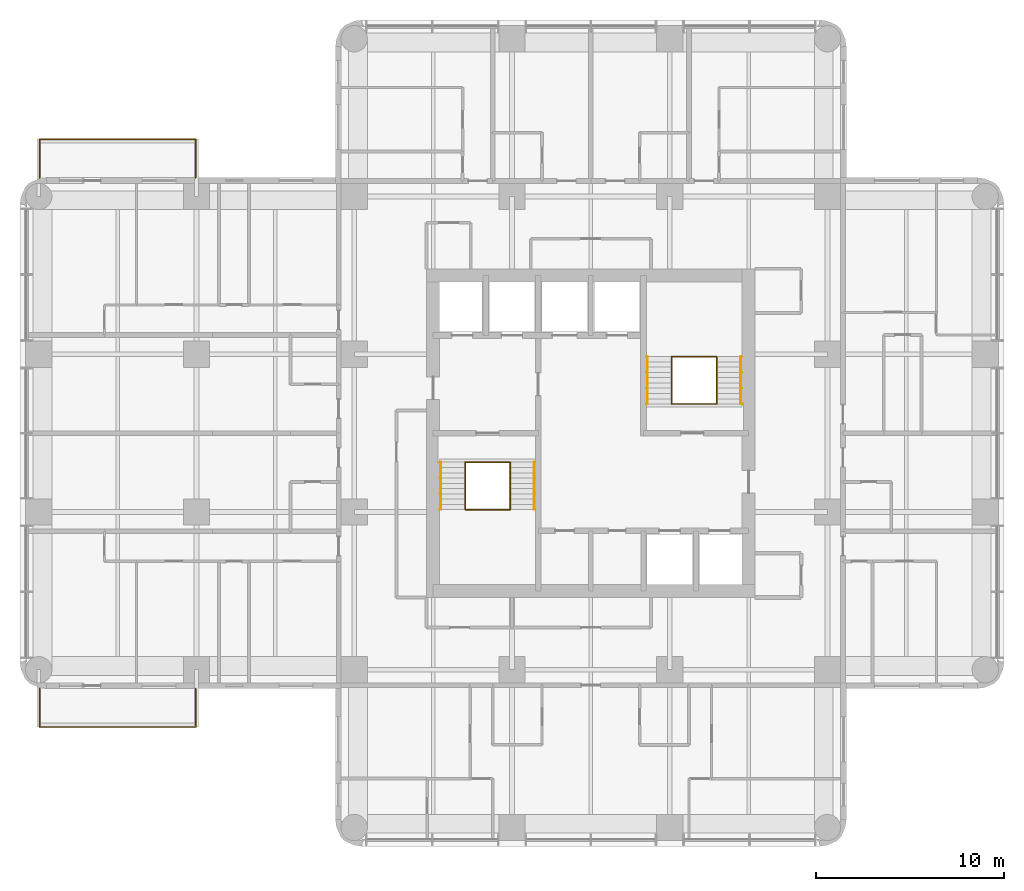
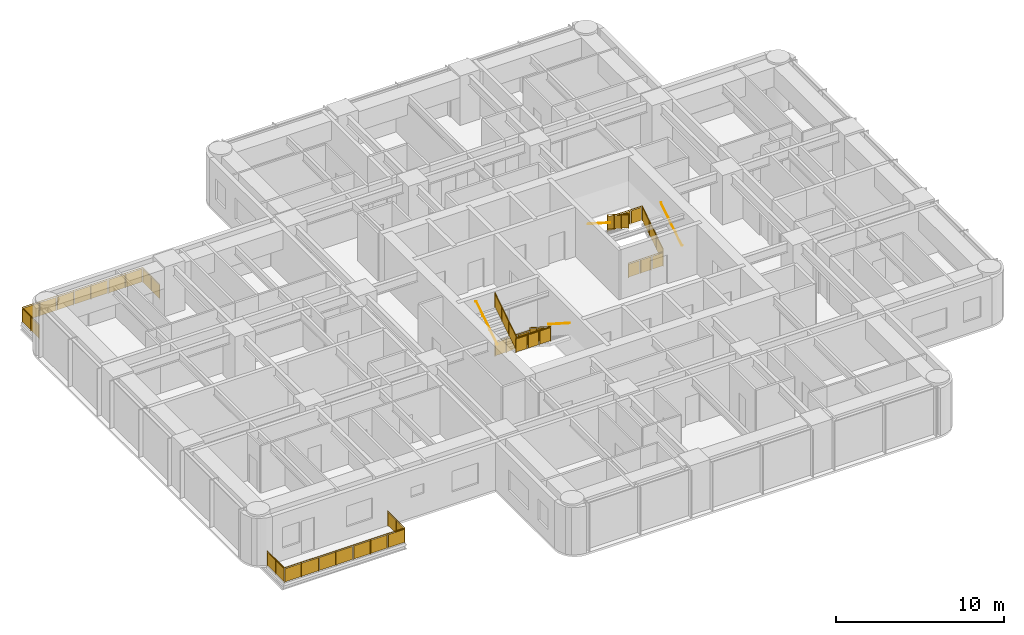
# One storey, part 11 of 11: 14 railings.
"""IFC4 building model written with IfcOpenShell, lengths in metres."""

from ifc_helpers import new_model, si_unit, direction, frame, origin, origin_2d, place, context, subcontext, project, spatial, polyline, circle, outline, extrude, material, constituent, constituent_set, type_object, element, save


model = new_model("IFC4")

# Units and contexts
model_context = context("Model", 3, precision=1e-05, world=origin(), true_north=direction((0.0, 1.0)))
body_context = subcontext(model_context, "Body", "Model", "MODEL_VIEW")
ifc_project = project(units=[si_unit("LENGTHUNIT", "METRE"), si_unit("AREAUNIT", "SQUARE_METRE"), si_unit("VOLUMEUNIT", "CUBIC_METRE"), si_unit("PLANEANGLEUNIT", "RADIAN"), si_unit("MASSUNIT", "GRAM", prefix="KILO")], contexts=[model_context])

# Site, building, storey
site_placement = place(None, origin())
site = spatial("IfcSite", under=ifc_project, at=site_placement, CompositionType="ELEMENT")
building_placement = place(site_placement, origin())
building = spatial("IfcBuilding", under=site, at=building_placement, Name="Torre Alcanfor", CompositionType="ELEMENT")
storey_placement = place(building_placement, frame((0.0, 0.0, 219.300048828125)))
storey = spatial("IfcBuildingStorey", under=building, at=storey_placement, Name="L57", CompositionType="ELEMENT", Elevation=219.300048828125)

# Railings
ifc_material_1 = material(Name="Laminated safety glass", Category="glass")
ifc_constituent_1 = constituent(ifc_material_1, Name="Infill")
ifc_material_2 = material(Name="Stainless steel ASTM A554 Grade MT 316L tube", Category="steel")
ifc_constituent_2 = constituent(ifc_material_2, Name="Posts and rail")
ifc_constituent_set = constituent_set(constituents=[ifc_constituent_1, ifc_constituent_2], Name="Balcony guard glass 1100")
railing_type_1 = type_object("IfcRailingType", Name="Balcony guard glass 1100", PredefinedType="BALUSTRADE", material=ifc_constituent_set)
railing_1_placement = place(storey_placement, frame((8.35009765625, 15.800048828125, 0.0)))
element("IfcRailing", 1, at=railing_1_placement, inside=storey, type_object=railing_type_1, Name="Balcony guard L57-W1", PredefinedType="BALUSTRADE", context=body_context, shape_type="SweptSolid", body=[
    extrude(circle(Radius=0.02392578125, at=origin_2d()), frame((0.0, 0.0, 1.076171875), z_axis=(0.0, -1.0, 0.0), x_axis=(1.0, 0.0, 0.0)), (0.0, 0.0, 1.0), 2.050048828125),
    extrude(circle(Radius=0.02392578125, at=origin_2d()), frame((0.0, -2.050048828125, 1.076171875), z_axis=(-1.0, 0.0, 0.0), x_axis=(0.0, -1.0, 0.0)), (0.0, 0.0, 1.0), 8.300048828125),
    extrude(circle(Radius=0.02392578125, at=origin_2d()), frame((-8.300048828125, -2.050048828125, 1.076171875), z_axis=(0.0, 1.0, 0.0), x_axis=(-1.0, 0.0, 0.0)), (0.0, 0.0, 1.0), 2.050048828125),
    extrude(circle(Radius=0.02099609375, at=origin_2d()), origin(), (0.0, 0.0, 1.0), 1.052001953125),
    extrude(circle(Radius=0.02099609375, at=origin_2d()), frame((0.0, -1.02490234375, 0.0)), (0.0, 0.0, 1.0), 1.052001953125),
    extrude(circle(Radius=0.02099609375, at=origin_2d()), frame((0.0, -2.050048828125, 0.0)), (0.0, 0.0, 1.0), 1.052001953125),
    extrude(circle(Radius=0.02099609375, at=origin_2d()), frame((-1.185791015625, -2.050048828125, 0.0)), (0.0, 0.0, 1.0), 1.052001953125),
    extrude(circle(Radius=0.02099609375, at=origin_2d()), frame((-2.371337890625, -2.050048828125, 0.0)), (0.0, 0.0, 1.0), 1.052001953125),
    extrude(circle(Radius=0.02099609375, at=origin_2d()), frame((-3.55712890625, -2.050048828125, 0.0)), (0.0, 0.0, 1.0), 1.052001953125),
    extrude(circle(Radius=0.02099609375, at=origin_2d()), frame((-4.742919921875, -2.050048828125, 0.0)), (0.0, 0.0, 1.0), 1.052001953125),
    extrude(circle(Radius=0.02099609375, at=origin_2d()), frame((-5.9287109375, -2.050048828125, 0.0)), (0.0, 0.0, 1.0), 1.052001953125),
    extrude(circle(Radius=0.02099609375, at=origin_2d()), frame((-7.1142578125, -2.050048828125, 0.0)), (0.0, 0.0, 1.0), 1.052001953125),
    extrude(circle(Radius=0.02099609375, at=origin_2d()), frame((-8.300048828125, -2.050048828125, 0.0)), (0.0, 0.0, 1.0), 1.052001953125),
    extrude(circle(Radius=0.02099609375, at=origin_2d()), frame((-8.300048828125, -1.02490234375, 0.0)), (0.0, 0.0, 1.0), 1.052001953125),
    extrude(circle(Radius=0.02099609375, at=origin_2d()), frame((-8.300048828125, 0.0, 0.0)), (0.0, 0.0, 1.0), 1.052001953125),
    extrude(outline(polyline([(0.041015625, 0.050048828125), (0.984130859375, 0.050048828125), (0.984130859375, 1.001953125), (0.041015625, 1.001953125), (0.041015625, 0.050048828125)])), frame((0.005859375, 0.0, 0.0), z_axis=(-1.0, 0.0, 0.0), x_axis=(0.0, -1.0, 0.0)), (0.0, 0.0, 1.0), 0.011962890625),
    extrude(outline(polyline([(1.06591796875, 0.050048828125), (2.009033203125, 0.050048828125), (2.009033203125, 1.001953125), (1.06591796875, 1.001953125), (1.06591796875, 0.050048828125)])), frame((0.005859375, 0.0, 0.0), z_axis=(-1.0, 0.0, 0.0), x_axis=(0.0, -1.0, 0.0)), (0.0, 0.0, 1.0), 0.011962890625),
    extrude(outline(polyline([(0.041015625, 0.050048828125), (1.144775390625, 0.050048828125), (1.144775390625, 1.001953125), (0.041015625, 1.001953125), (0.041015625, 0.050048828125)])), frame((0.0, -2.05615234375, 0.0), z_axis=(0.0, 1.0, 0.0), x_axis=(-1.0, 0.0, 0.0)), (0.0, 0.0, 1.0), 0.011962890625),
    extrude(outline(polyline([(1.226806640625, 0.050048828125), (2.330322265625, 0.050048828125), (2.330322265625, 1.001953125), (1.226806640625, 1.001953125), (1.226806640625, 0.050048828125)])), frame((0.0, -2.05615234375, 0.0), z_axis=(0.0, 1.0, 0.0), x_axis=(-1.0, 0.0, 0.0)), (0.0, 0.0, 1.0), 0.011962890625),
    extrude(outline(polyline([(2.412353515625, 0.050048828125), (3.51611328125, 0.050048828125), (3.51611328125, 1.001953125), (2.412353515625, 1.001953125), (2.412353515625, 0.050048828125)])), frame((0.0, -2.05615234375, 0.0), z_axis=(0.0, 1.0, 0.0), x_axis=(-1.0, 0.0, 0.0)), (0.0, 0.0, 1.0), 0.011962890625),
    extrude(outline(polyline([(3.59814453125, 0.050048828125), (4.701904296875, 0.050048828125), (4.701904296875, 1.001953125), (3.59814453125, 1.001953125), (3.59814453125, 0.050048828125)])), frame((0.0, -2.05615234375, 0.0), z_axis=(0.0, 1.0, 0.0), x_axis=(-1.0, 0.0, 0.0)), (0.0, 0.0, 1.0), 0.011962890625),
    extrude(outline(polyline([(4.783935546875, 0.050048828125), (5.8876953125, 0.050048828125), (5.8876953125, 1.001953125), (4.783935546875, 1.001953125), (4.783935546875, 0.050048828125)])), frame((0.0, -2.05615234375, 0.0), z_axis=(0.0, 1.0, 0.0), x_axis=(-1.0, 0.0, 0.0)), (0.0, 0.0, 1.0), 0.011962890625),
    extrude(outline(polyline([(5.9697265625, 0.050048828125), (7.0732421875, 0.050048828125), (7.0732421875, 1.001953125), (5.9697265625, 1.001953125), (5.9697265625, 0.050048828125)])), frame((0.0, -2.05615234375, 0.0), z_axis=(0.0, 1.0, 0.0), x_axis=(-1.0, 0.0, 0.0)), (0.0, 0.0, 1.0), 0.011962890625),
    extrude(outline(polyline([(7.1552734375, 0.050048828125), (8.259033203125, 0.050048828125), (8.259033203125, 1.001953125), (7.1552734375, 1.001953125), (7.1552734375, 0.050048828125)])), frame((0.0, -2.05615234375, 0.0), z_axis=(0.0, 1.0, 0.0), x_axis=(-1.0, 0.0, 0.0)), (0.0, 0.0, 1.0), 0.011962890625),
    extrude(outline(polyline([(0.041015625, 0.050048828125), (0.984130859375, 0.050048828125), (0.984130859375, 1.001953125), (0.041015625, 1.001953125), (0.041015625, 0.050048828125)])), frame((-8.30615234375, -2.050048828125, 0.0), z_axis=(1.0, 0.0, 0.0), x_axis=(0.0, 1.0, 0.0)), (0.0, 0.0, 1.0), 0.011962890625),
    extrude(outline(polyline([(1.06591796875, 0.050048828125), (2.009033203125, 0.050048828125), (2.009033203125, 1.001953125), (1.06591796875, 1.001953125), (1.06591796875, 0.050048828125)])), frame((-8.30615234375, -2.050048828125, 0.0), z_axis=(1.0, 0.0, 0.0), x_axis=(0.0, 1.0, 0.0)), (0.0, 0.0, 1.0), 0.011962890625),
])
railing_2_placement = place(storey_placement, frame((8.35009765625, 43.0, 0.0)))
element("IfcRailing", 2, at=railing_2_placement, inside=storey, type_object=railing_type_1, Name="Balcony guard L57-W2", PredefinedType="BALUSTRADE", context=body_context, shape_type="SweptSolid", body=[
    extrude(circle(Radius=0.02392578125, at=origin_2d()), frame((0.0, 0.0, 1.076171875), z_axis=(0.0, 1.0, 0.0), x_axis=(-1.0, 0.0, 0.0)), (0.0, 0.0, 1.0), 2.050048828125),
    extrude(circle(Radius=0.02392578125, at=origin_2d()), frame((0.0, 2.050048828125, 1.076171875), z_axis=(-1.0, 0.0, 0.0), x_axis=(0.0, -1.0, 0.0)), (0.0, 0.0, 1.0), 8.300048828125),
    extrude(circle(Radius=0.02392578125, at=origin_2d()), frame((-8.300048828125, 2.050048828125, 1.076171875), z_axis=(0.0, -1.0, 0.0), x_axis=(1.0, 0.0, 0.0)), (0.0, 0.0, 1.0), 2.050048828125),
    extrude(circle(Radius=0.02099609375, at=origin_2d()), origin(), (0.0, 0.0, 1.0), 1.052001953125),
    extrude(circle(Radius=0.02099609375, at=origin_2d()), frame((0.0, 1.02490234375, 0.0)), (0.0, 0.0, 1.0), 1.052001953125),
    extrude(circle(Radius=0.02099609375, at=origin_2d()), frame((0.0, 2.050048828125, 0.0)), (0.0, 0.0, 1.0), 1.052001953125),
    extrude(circle(Radius=0.02099609375, at=origin_2d()), frame((-1.185791015625, 2.050048828125, 0.0)), (0.0, 0.0, 1.0), 1.052001953125),
    extrude(circle(Radius=0.02099609375, at=origin_2d()), frame((-2.371337890625, 2.050048828125, 0.0)), (0.0, 0.0, 1.0), 1.052001953125),
    extrude(circle(Radius=0.02099609375, at=origin_2d()), frame((-3.55712890625, 2.050048828125, 0.0)), (0.0, 0.0, 1.0), 1.052001953125),
    extrude(circle(Radius=0.02099609375, at=origin_2d()), frame((-4.742919921875, 2.050048828125, 0.0)), (0.0, 0.0, 1.0), 1.052001953125),
    extrude(circle(Radius=0.02099609375, at=origin_2d()), frame((-5.9287109375, 2.050048828125, 0.0)), (0.0, 0.0, 1.0), 1.052001953125),
    extrude(circle(Radius=0.02099609375, at=origin_2d()), frame((-7.1142578125, 2.050048828125, 0.0)), (0.0, 0.0, 1.0), 1.052001953125),
    extrude(circle(Radius=0.02099609375, at=origin_2d()), frame((-8.300048828125, 2.050048828125, 0.0)), (0.0, 0.0, 1.0), 1.052001953125),
    extrude(circle(Radius=0.02099609375, at=origin_2d()), frame((-8.300048828125, 1.02490234375, 0.0)), (0.0, 0.0, 1.0), 1.052001953125),
    extrude(circle(Radius=0.02099609375, at=origin_2d()), frame((-8.300048828125, 0.0, 0.0)), (0.0, 0.0, 1.0), 1.052001953125),
    extrude(outline(polyline([(0.041015625, 0.050048828125), (0.984130859375, 0.050048828125), (0.984130859375, 1.001953125), (0.041015625, 1.001953125), (0.041015625, 0.050048828125)])), frame((-0.005859375, 0.0, 0.0), z_axis=(1.0, 0.0, 0.0), x_axis=(0.0, 1.0, 0.0)), (0.0, 0.0, 1.0), 0.011962890625),
    extrude(outline(polyline([(1.06591796875, 0.050048828125), (2.009033203125, 0.050048828125), (2.009033203125, 1.001953125), (1.06591796875, 1.001953125), (1.06591796875, 0.050048828125)])), frame((-0.005859375, 0.0, 0.0), z_axis=(1.0, 0.0, 0.0), x_axis=(0.0, 1.0, 0.0)), (0.0, 0.0, 1.0), 0.011962890625),
    extrude(outline(polyline([(0.041015625, 0.050048828125), (1.144775390625, 0.050048828125), (1.144775390625, 1.001953125), (0.041015625, 1.001953125), (0.041015625, 0.050048828125)])), frame((0.0, 2.0439453125, 0.0), z_axis=(0.0, 1.0, 0.0), x_axis=(-1.0, 0.0, 0.0)), (0.0, 0.0, 1.0), 0.011962890625),
    extrude(outline(polyline([(1.226806640625, 0.050048828125), (2.330322265625, 0.050048828125), (2.330322265625, 1.001953125), (1.226806640625, 1.001953125), (1.226806640625, 0.050048828125)])), frame((0.0, 2.0439453125, 0.0), z_axis=(0.0, 1.0, 0.0), x_axis=(-1.0, 0.0, 0.0)), (0.0, 0.0, 1.0), 0.011962890625),
    extrude(outline(polyline([(2.412353515625, 0.050048828125), (3.51611328125, 0.050048828125), (3.51611328125, 1.001953125), (2.412353515625, 1.001953125), (2.412353515625, 0.050048828125)])), frame((0.0, 2.0439453125, 0.0), z_axis=(0.0, 1.0, 0.0), x_axis=(-1.0, 0.0, 0.0)), (0.0, 0.0, 1.0), 0.011962890625),
    extrude(outline(polyline([(3.59814453125, 0.050048828125), (4.701904296875, 0.050048828125), (4.701904296875, 1.001953125), (3.59814453125, 1.001953125), (3.59814453125, 0.050048828125)])), frame((0.0, 2.0439453125, 0.0), z_axis=(0.0, 1.0, 0.0), x_axis=(-1.0, 0.0, 0.0)), (0.0, 0.0, 1.0), 0.011962890625),
    extrude(outline(polyline([(4.783935546875, 0.050048828125), (5.8876953125, 0.050048828125), (5.8876953125, 1.001953125), (4.783935546875, 1.001953125), (4.783935546875, 0.050048828125)])), frame((0.0, 2.0439453125, 0.0), z_axis=(0.0, 1.0, 0.0), x_axis=(-1.0, 0.0, 0.0)), (0.0, 0.0, 1.0), 0.011962890625),
    extrude(outline(polyline([(5.9697265625, 0.050048828125), (7.0732421875, 0.050048828125), (7.0732421875, 1.001953125), (5.9697265625, 1.001953125), (5.9697265625, 0.050048828125)])), frame((0.0, 2.0439453125, 0.0), z_axis=(0.0, 1.0, 0.0), x_axis=(-1.0, 0.0, 0.0)), (0.0, 0.0, 1.0), 0.011962890625),
    extrude(outline(polyline([(7.1552734375, 0.050048828125), (8.259033203125, 0.050048828125), (8.259033203125, 1.001953125), (7.1552734375, 1.001953125), (7.1552734375, 0.050048828125)])), frame((0.0, 2.0439453125, 0.0), z_axis=(0.0, 1.0, 0.0), x_axis=(-1.0, 0.0, 0.0)), (0.0, 0.0, 1.0), 0.011962890625),
    extrude(outline(polyline([(0.041015625, 0.050048828125), (0.984130859375, 0.050048828125), (0.984130859375, 1.001953125), (0.041015625, 1.001953125), (0.041015625, 0.050048828125)])), frame((-8.2939453125, 2.050048828125, 0.0), z_axis=(-1.0, 0.0, 0.0), x_axis=(0.0, -1.0, 0.0)), (0.0, 0.0, 1.0), 0.011962890625),
    extrude(outline(polyline([(1.06591796875, 0.050048828125), (2.009033203125, 0.050048828125), (2.009033203125, 1.001953125), (1.06591796875, 1.001953125), (1.06591796875, 0.050048828125)])), frame((-8.2939453125, 2.050048828125, 0.0), z_axis=(-1.0, 0.0, 0.0), x_axis=(0.0, -1.0, 0.0)), (0.0, 0.0, 1.0), 0.011962890625),
])
ifc_material_3 = material(Name="Steel ASTM A500 Grade C hollow sections", Category="steel")
railing_type_2 = type_object("IfcRailingType", Name="Stair guard and handrail 1100", PredefinedType="GUARDRAIL", material=ifc_material_3)
railing_3_placement = place(storey_placement, frame((25.10009765625, 27.85009765625, 0.179931640625)))
element("IfcRailing", 3, at=railing_3_placement, inside=storey, type_object=railing_type_2, Name="Stair guard S1 L57 flight 1", PredefinedType="GUARDRAIL", context=body_context, shape_type="SweptSolid", body=[
    extrude(circle(Radius=0.02392578125, at=origin_2d()), frame((0.0, 0.0, 1.076171875), z_axis=(0.0, -0.841162588446, 0.540782303519), x_axis=(1.0, 0.0, 0.0)), (0.0, 0.0, 1.0), 2.995849609375),
    extrude(circle(Radius=0.02099609375, at=origin_2d()), origin(), (0.0, 0.0, 1.0), 1.052001953125),
    extrude(circle(Radius=0.02099609375, at=origin_2d()), frame((0.0, -0.840087890625, 0.5400390625)), (0.0, 0.0, 1.0), 1.052001953125),
    extrude(circle(Radius=0.02099609375, at=origin_2d()), frame((0.0, -1.679931640625, 1.080078125)), (0.0, 0.0, 1.0), 1.052001953125),
    extrude(circle(Radius=0.02099609375, at=origin_2d()), frame((0.0, -2.52001953125, 1.6201171875)), (0.0, 0.0, 1.0), 1.052001953125),
    extrude(outline(polyline([(0.041015625, 0.076416015625), (0.799072265625, 0.563720703125), (0.799072265625, 1.515625), (0.041015625, 1.0283203125), (0.041015625, 0.076416015625)])), frame((0.005859375, 0.0, 0.0), z_axis=(-1.0, 0.0, 0.0), x_axis=(0.0, -1.0, 0.0)), (0.0, 0.0, 1.0), 0.011962890625),
    extrude(outline(polyline([(0.881103515625, 0.616455078125), (1.638916015625, 1.103759765625), (1.638916015625, 2.0556640625), (0.881103515625, 1.568359375), (0.881103515625, 0.616455078125)])), frame((0.005859375, 0.0, 0.0), z_axis=(-1.0, 0.0, 0.0), x_axis=(0.0, -1.0, 0.0)), (0.0, 0.0, 1.0), 0.011962890625),
    extrude(outline(polyline([(1.720947265625, 1.156494140625), (2.47900390625, 1.643798828125), (2.47900390625, 2.595703125), (1.720947265625, 2.1083984375), (1.720947265625, 1.156494140625)])), frame((0.005859375, 0.0, 0.0), z_axis=(-1.0, 0.0, 0.0), x_axis=(0.0, -1.0, 0.0)), (0.0, 0.0, 1.0), 0.011962890625),
])
railing_4_placement = place(storey_placement, frame((22.699951171875, 25.330078125, 1.97998046875)))
element("IfcRailing", 4, at=railing_4_placement, inside=storey, type_object=railing_type_2, Name="Stair guard S1 L57 flight 2", PredefinedType="GUARDRAIL", context=body_context, shape_type="SweptSolid", body=[
    extrude(circle(Radius=0.02392578125, at=origin_2d()), frame((0.0, 0.0, 1.076171875), z_axis=(0.0, 0.841199657755, 0.540724639528), x_axis=(-1.0, 0.0, 0.0)), (0.0, 0.0, 1.0), 2.995849609375),
    extrude(circle(Radius=0.02099609375, at=origin_2d()), origin(), (0.0, 0.0, 1.0), 1.052001953125),
    extrude(circle(Radius=0.02099609375, at=origin_2d()), frame((0.0, 0.840087890625, 0.5400390625)), (0.0, 0.0, 1.0), 1.052001953125),
    extrude(circle(Radius=0.02099609375, at=origin_2d()), frame((0.0, 1.679931640625, 1.079833984375)), (0.0, 0.0, 1.0), 1.052001953125),
    extrude(circle(Radius=0.02099609375, at=origin_2d()), frame((0.0, 2.52001953125, 1.619873046875)), (0.0, 0.0, 1.0), 1.052001953125),
    extrude(outline(polyline([(0.041015625, 0.076416015625), (0.799072265625, 0.563720703125), (0.799072265625, 1.515625), (0.041015625, 1.0283203125), (0.041015625, 0.076416015625)])), frame((-0.005859375, 0.0, 0.0), z_axis=(1.0, 0.0, 0.0), x_axis=(0.0, 1.0, 0.0)), (0.0, 0.0, 1.0), 0.011962890625),
    extrude(outline(polyline([(0.881103515625, 0.6162109375), (1.638916015625, 1.103515625), (1.638916015625, 2.0556640625), (0.881103515625, 1.568359375), (0.881103515625, 0.6162109375)])), frame((-0.005859375, 0.0, 0.0), z_axis=(1.0, 0.0, 0.0), x_axis=(0.0, 1.0, 0.0)), (0.0, 0.0, 1.0), 0.011962890625),
    extrude(outline(polyline([(1.720947265625, 1.15625), (2.47900390625, 1.6435546875), (2.47900390625, 2.595458984375), (1.720947265625, 2.108154296875), (1.720947265625, 1.15625)])), frame((-0.005859375, 0.0, 0.0), z_axis=(1.0, 0.0, 0.0), x_axis=(0.0, 1.0, 0.0)), (0.0, 0.0, 1.0), 0.011962890625),
])
for number, where, name in (
    (5, (22.699951171875, 27.85009765625, 0.0), "Stair well guard S1 L57 floor landing"),
    (6, (22.699951171875, 25.330078125, 1.800048828125), "Stair well guard S1 L57 half landing"),
):
    element("IfcRailing", number, at=place(storey_placement, frame(where)), inside=storey, type_object=railing_type_2, Name=name, PredefinedType="GUARDRAIL", context=body_context, shape_type="SweptSolid", body=[
        extrude(circle(Radius=0.02392578125, at=origin_2d()), frame((0.0, 0.0, 1.076171875), z_axis=(1.0, 0.0, 0.0), x_axis=(0.0, 1.0, 0.0)), (0.0, 0.0, 1.0), 2.400146484375),
        extrude(circle(Radius=0.02099609375, at=origin_2d()), origin(), (0.0, 0.0, 1.0), 1.052001953125),
        extrude(circle(Radius=0.02099609375, at=origin_2d()), frame((0.800048828125, 0.0, 0.0)), (0.0, 0.0, 1.0), 1.052001953125),
        extrude(circle(Radius=0.02099609375, at=origin_2d()), frame((1.60009765625, 0.0, 0.0)), (0.0, 0.0, 1.0), 1.052001953125),
        extrude(circle(Radius=0.02099609375, at=origin_2d()), frame((2.400146484375, 0.0, 0.0)), (0.0, 0.0, 1.0), 1.052001953125),
        extrude(outline(polyline([(0.041015625, 0.050048828125), (0.759033203125, 0.050048828125), (0.759033203125, 1.001953125), (0.041015625, 1.001953125), (0.041015625, 0.050048828125)])), frame((0.0, 0.005859375, 0.0), z_axis=(0.0, -1.0, 0.0), x_axis=(1.0, 0.0, 0.0)), (0.0, 0.0, 1.0), 0.011962890625),
        extrude(outline(polyline([(0.841064453125, 0.050048828125), (1.55908203125, 0.050048828125), (1.55908203125, 1.001953125), (0.841064453125, 1.001953125), (0.841064453125, 0.050048828125)])), frame((0.0, 0.005859375, 0.0), z_axis=(0.0, -1.0, 0.0), x_axis=(1.0, 0.0, 0.0)), (0.0, 0.0, 1.0), 0.011962890625),
        extrude(outline(polyline([(1.64111328125, 0.050048828125), (2.359130859375, 0.050048828125), (2.359130859375, 1.001953125), (1.64111328125, 1.001953125), (1.64111328125, 0.050048828125)])), frame((0.0, 0.005859375, 0.0), z_axis=(0.0, -1.0, 0.0), x_axis=(1.0, 0.0, 0.0)), (0.0, 0.0, 1.0), 0.011962890625),
    ])
railing_5_placement = place(storey_placement, frame((36.10009765625, 30.949951171875, 0.179931640625)))
element("IfcRailing", 7, at=railing_5_placement, inside=storey, type_object=railing_type_2, Name="Stair guard S2 L57 flight 1", PredefinedType="GUARDRAIL", context=body_context, shape_type="SweptSolid", body=[
    extrude(circle(Radius=0.02392578125, at=origin_2d()), frame((0.0, 0.0, 1.076171875), z_axis=(0.0, 0.841162588446, 0.540782303519), x_axis=(-1.0, 0.0, 0.0)), (0.0, 0.0, 1.0), 2.995849609375),
    extrude(circle(Radius=0.02099609375, at=origin_2d()), origin(), (0.0, 0.0, 1.0), 1.052001953125),
    extrude(circle(Radius=0.02099609375, at=origin_2d()), frame((0.0, 0.840087890625, 0.5400390625)), (0.0, 0.0, 1.0), 1.052001953125),
    extrude(circle(Radius=0.02099609375, at=origin_2d()), frame((0.0, 1.679931640625, 1.080078125)), (0.0, 0.0, 1.0), 1.052001953125),
    extrude(circle(Radius=0.02099609375, at=origin_2d()), frame((0.0, 2.52001953125, 1.6201171875)), (0.0, 0.0, 1.0), 1.052001953125),
    extrude(outline(polyline([(0.041015625, 0.076416015625), (0.799072265625, 0.563720703125), (0.799072265625, 1.515625), (0.041015625, 1.0283203125), (0.041015625, 0.076416015625)])), frame((-0.005859375, 0.0, 0.0), z_axis=(1.0, 0.0, 0.0), x_axis=(0.0, 1.0, 0.0)), (0.0, 0.0, 1.0), 0.011962890625),
    extrude(outline(polyline([(0.881103515625, 0.616455078125), (1.638916015625, 1.103759765625), (1.638916015625, 2.0556640625), (0.881103515625, 1.568359375), (0.881103515625, 0.616455078125)])), frame((-0.005859375, 0.0, 0.0), z_axis=(1.0, 0.0, 0.0), x_axis=(0.0, 1.0, 0.0)), (0.0, 0.0, 1.0), 0.011962890625),
    extrude(outline(polyline([(1.720947265625, 1.156494140625), (2.47900390625, 1.643798828125), (2.47900390625, 2.595703125), (1.720947265625, 2.1083984375), (1.720947265625, 1.156494140625)])), frame((-0.005859375, 0.0, 0.0), z_axis=(1.0, 0.0, 0.0), x_axis=(0.0, 1.0, 0.0)), (0.0, 0.0, 1.0), 0.011962890625),
])
railing_6_placement = place(storey_placement, frame((33.699951171875, 33.469970703125, 1.97998046875)))
element("IfcRailing", 8, at=railing_6_placement, inside=storey, type_object=railing_type_2, Name="Stair guard S2 L57 flight 2", PredefinedType="GUARDRAIL", context=body_context, shape_type="SweptSolid", body=[
    extrude(circle(Radius=0.02392578125, at=origin_2d()), frame((0.0, 0.0, 1.076171875), z_axis=(0.0, -0.841199657755, 0.540724639528), x_axis=(1.0, 0.0, 0.0)), (0.0, 0.0, 1.0), 2.995849609375),
    extrude(circle(Radius=0.02099609375, at=origin_2d()), origin(), (0.0, 0.0, 1.0), 1.052001953125),
    extrude(circle(Radius=0.02099609375, at=origin_2d()), frame((0.0, -0.840087890625, 0.5400390625)), (0.0, 0.0, 1.0), 1.052001953125),
    extrude(circle(Radius=0.02099609375, at=origin_2d()), frame((0.0, -1.679931640625, 1.079833984375)), (0.0, 0.0, 1.0), 1.052001953125),
    extrude(circle(Radius=0.02099609375, at=origin_2d()), frame((0.0, -2.52001953125, 1.619873046875)), (0.0, 0.0, 1.0), 1.052001953125),
    extrude(outline(polyline([(0.041015625, 0.076416015625), (0.799072265625, 0.563720703125), (0.799072265625, 1.515625), (0.041015625, 1.0283203125), (0.041015625, 0.076416015625)])), frame((0.005859375, 0.0, 0.0), z_axis=(-1.0, 0.0, 0.0), x_axis=(0.0, -1.0, 0.0)), (0.0, 0.0, 1.0), 0.011962890625),
    extrude(outline(polyline([(0.881103515625, 0.6162109375), (1.638916015625, 1.103515625), (1.638916015625, 2.0556640625), (0.881103515625, 1.568359375), (0.881103515625, 0.6162109375)])), frame((0.005859375, 0.0, 0.0), z_axis=(-1.0, 0.0, 0.0), x_axis=(0.0, -1.0, 0.0)), (0.0, 0.0, 1.0), 0.011962890625),
    extrude(outline(polyline([(1.720947265625, 1.15625), (2.47900390625, 1.6435546875), (2.47900390625, 2.595458984375), (1.720947265625, 2.108154296875), (1.720947265625, 1.15625)])), frame((0.005859375, 0.0, 0.0), z_axis=(-1.0, 0.0, 0.0), x_axis=(0.0, -1.0, 0.0)), (0.0, 0.0, 1.0), 0.011962890625),
])
for number, where, name in (
    (9, (33.699951171875, 30.949951171875, 0.0), "Stair well guard S2 L57 floor landing"),
    (10, (33.699951171875, 33.469970703125, 1.800048828125), "Stair well guard S2 L57 half landing"),
):
    element("IfcRailing", number, at=place(storey_placement, frame(where)), inside=storey, type_object=railing_type_2, Name=name, PredefinedType="GUARDRAIL", context=body_context, shape_type="SweptSolid", body=[
        extrude(circle(Radius=0.02392578125, at=origin_2d()), frame((0.0, 0.0, 1.076171875), z_axis=(1.0, 0.0, 0.0), x_axis=(0.0, 1.0, 0.0)), (0.0, 0.0, 1.0), 2.400146484375),
        extrude(circle(Radius=0.02099609375, at=origin_2d()), origin(), (0.0, 0.0, 1.0), 1.052001953125),
        extrude(circle(Radius=0.02099609375, at=origin_2d()), frame((0.800048828125, 0.0, 0.0)), (0.0, 0.0, 1.0), 1.052001953125),
        extrude(circle(Radius=0.02099609375, at=origin_2d()), frame((1.60009765625, 0.0, 0.0)), (0.0, 0.0, 1.0), 1.052001953125),
        extrude(circle(Radius=0.02099609375, at=origin_2d()), frame((2.400146484375, 0.0, 0.0)), (0.0, 0.0, 1.0), 1.052001953125),
        extrude(outline(polyline([(0.041015625, 0.050048828125), (0.759033203125, 0.050048828125), (0.759033203125, 1.001953125), (0.041015625, 1.001953125), (0.041015625, 0.050048828125)])), frame((0.0, 0.005859375, 0.0), z_axis=(0.0, -1.0, 0.0), x_axis=(1.0, 0.0, 0.0)), (0.0, 0.0, 1.0), 0.011962890625),
        extrude(outline(polyline([(0.841064453125, 0.050048828125), (1.55908203125, 0.050048828125), (1.55908203125, 1.001953125), (0.841064453125, 1.001953125), (0.841064453125, 0.050048828125)])), frame((0.0, 0.005859375, 0.0), z_axis=(0.0, -1.0, 0.0), x_axis=(1.0, 0.0, 0.0)), (0.0, 0.0, 1.0), 0.011962890625),
        extrude(outline(polyline([(1.64111328125, 0.050048828125), (2.359130859375, 0.050048828125), (2.359130859375, 1.001953125), (1.64111328125, 1.001953125), (1.64111328125, 0.050048828125)])), frame((0.0, 0.005859375, 0.0), z_axis=(0.0, -1.0, 0.0), x_axis=(1.0, 0.0, 0.0)), (0.0, 0.0, 1.0), 0.011962890625),
    ])
ifc_material_4 = material(Name="Steel ASTM A500 Grade C hollow sections", Category="steel")
railing_type_3 = type_object("IfcRailingType", Name="Stair wall handrail 900", PredefinedType="HANDRAIL", material=ifc_material_4)
railing_7_placement = place(storey_placement, frame((26.385009765625, 27.85009765625, 0.179931640625)))
element("IfcRailing", 11, at=railing_7_placement, inside=storey, type_object=railing_type_3, Name="Stair handrail S1 L57 flight 1", PredefinedType="HANDRAIL", context=body_context, shape_type="SweptSolid", body=[
    extrude(circle(Radius=0.02392578125, at=origin_2d()), frame((0.0, 0.0, 0.8759765625), z_axis=(0.0, -0.841162588446, 0.540782303519), x_axis=(1.0, 0.0, 0.0)), (0.0, 0.0, 1.0), 2.995849609375),
    extrude(circle(Radius=0.008056640625, at=origin_2d()), frame((0.0, 0.0, 0.8759765625), z_axis=(1.0, 0.0, 0.0), x_axis=(0.0, 0.0, 1.0)), (0.0, 0.0, 1.0), 0.06494140625),
    extrude(circle(Radius=0.008056640625, at=origin_2d()), frame((0.0, -0.840087890625, 1.416015625), z_axis=(1.0, 0.0, 0.0), x_axis=(0.0, 0.0, 1.0)), (0.0, 0.0, 1.0), 0.06494140625),
    extrude(circle(Radius=0.008056640625, at=origin_2d()), frame((0.0, -1.679931640625, 1.9560546875), z_axis=(1.0, 0.0, 0.0), x_axis=(0.0, 0.0, 1.0)), (0.0, 0.0, 1.0), 0.06494140625),
    extrude(circle(Radius=0.008056640625, at=origin_2d()), frame((0.0, -2.52001953125, 2.49609375), z_axis=(1.0, 0.0, 0.0), x_axis=(0.0, 0.0, 1.0)), (0.0, 0.0, 1.0), 0.06494140625),
])
railing_8_placement = place(storey_placement, frame((21.4150390625, 25.330078125, 1.97998046875)))
element("IfcRailing", 12, at=railing_8_placement, inside=storey, type_object=railing_type_3, Name="Stair handrail S1 L57 flight 2", PredefinedType="HANDRAIL", context=body_context, shape_type="SweptSolid", body=[
    extrude(circle(Radius=0.02392578125, at=origin_2d()), frame((0.0, 0.0, 0.8759765625), z_axis=(0.0, 0.841199657755, 0.540724639528), x_axis=(-1.0, 0.0, 0.0)), (0.0, 0.0, 1.0), 2.995849609375),
    extrude(circle(Radius=0.008056640625, at=origin_2d()), frame((0.0, 0.0, 0.8759765625), z_axis=(-1.0, 0.0, 0.0), x_axis=(0.0, 0.0, 1.0)), (0.0, 0.0, 1.0), 0.06494140625),
    extrude(circle(Radius=0.008056640625, at=origin_2d()), frame((0.0, 0.840087890625, 1.415771484375), z_axis=(-1.0, 0.0, 0.0), x_axis=(0.0, 0.0, 1.0)), (0.0, 0.0, 1.0), 0.06494140625),
    extrude(circle(Radius=0.008056640625, at=origin_2d()), frame((0.0, 1.679931640625, 1.955810546875), z_axis=(-1.0, 0.0, 0.0), x_axis=(0.0, 0.0, 1.0)), (0.0, 0.0, 1.0), 0.06494140625),
    extrude(circle(Radius=0.008056640625, at=origin_2d()), frame((0.0, 2.52001953125, 2.49560546875), z_axis=(-1.0, 0.0, 0.0), x_axis=(0.0, 0.0, 1.0)), (0.0, 0.0, 1.0), 0.06494140625),
])
railing_9_placement = place(storey_placement, frame((37.385009765625, 30.949951171875, 0.179931640625)))
element("IfcRailing", 13, at=railing_9_placement, inside=storey, type_object=railing_type_3, Name="Stair handrail S2 L57 flight 1", PredefinedType="HANDRAIL", context=body_context, shape_type="SweptSolid", body=[
    extrude(circle(Radius=0.02392578125, at=origin_2d()), frame((0.0, 0.0, 0.8759765625), z_axis=(0.0, 0.841162588446, 0.540782303519), x_axis=(-1.0, 0.0, 0.0)), (0.0, 0.0, 1.0), 2.995849609375),
    extrude(circle(Radius=0.008056640625, at=origin_2d()), frame((0.0, 0.0, 0.8759765625), z_axis=(1.0, 0.0, 0.0), x_axis=(0.0, 0.0, 1.0)), (0.0, 0.0, 1.0), 0.06494140625),
    extrude(circle(Radius=0.008056640625, at=origin_2d()), frame((0.0, 0.840087890625, 1.416015625), z_axis=(1.0, 0.0, 0.0), x_axis=(0.0, 0.0, 1.0)), (0.0, 0.0, 1.0), 0.06494140625),
    extrude(circle(Radius=0.008056640625, at=origin_2d()), frame((0.0, 1.679931640625, 1.9560546875), z_axis=(1.0, 0.0, 0.0), x_axis=(0.0, 0.0, 1.0)), (0.0, 0.0, 1.0), 0.06494140625),
    extrude(circle(Radius=0.008056640625, at=origin_2d()), frame((0.0, 2.52001953125, 2.49609375), z_axis=(1.0, 0.0, 0.0), x_axis=(0.0, 0.0, 1.0)), (0.0, 0.0, 1.0), 0.06494140625),
])
railing_10_placement = place(storey_placement, frame((32.4150390625, 33.469970703125, 1.97998046875)))
element("IfcRailing", 14, at=railing_10_placement, inside=storey, type_object=railing_type_3, Name="Stair handrail S2 L57 flight 2", PredefinedType="HANDRAIL", context=body_context, shape_type="SweptSolid", body=[
    extrude(circle(Radius=0.02392578125, at=origin_2d()), frame((0.0, 0.0, 0.8759765625), z_axis=(0.0, -0.841199657755, 0.540724639528), x_axis=(1.0, 0.0, 0.0)), (0.0, 0.0, 1.0), 2.995849609375),
    extrude(circle(Radius=0.008056640625, at=origin_2d()), frame((0.0, 0.0, 0.8759765625), z_axis=(-1.0, 0.0, 0.0), x_axis=(0.0, 0.0, 1.0)), (0.0, 0.0, 1.0), 0.06494140625),
    extrude(circle(Radius=0.008056640625, at=origin_2d()), frame((0.0, -0.840087890625, 1.415771484375), z_axis=(-1.0, 0.0, 0.0), x_axis=(0.0, 0.0, 1.0)), (0.0, 0.0, 1.0), 0.06494140625),
    extrude(circle(Radius=0.008056640625, at=origin_2d()), frame((0.0, -1.679931640625, 1.955810546875), z_axis=(-1.0, 0.0, 0.0), x_axis=(0.0, 0.0, 1.0)), (0.0, 0.0, 1.0), 0.06494140625),
    extrude(circle(Radius=0.008056640625, at=origin_2d()), frame((0.0, -2.52001953125, 2.49560546875), z_axis=(-1.0, 0.0, 0.0), x_axis=(0.0, 0.0, 1.0)), (0.0, 0.0, 1.0), 0.06494140625),
])

save(model, "model.ifc")
